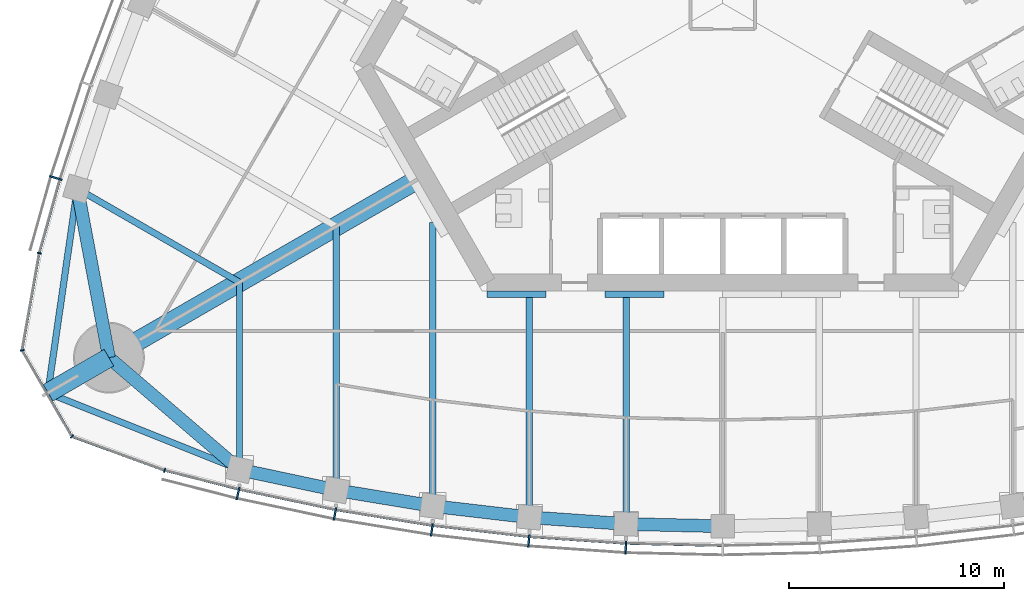
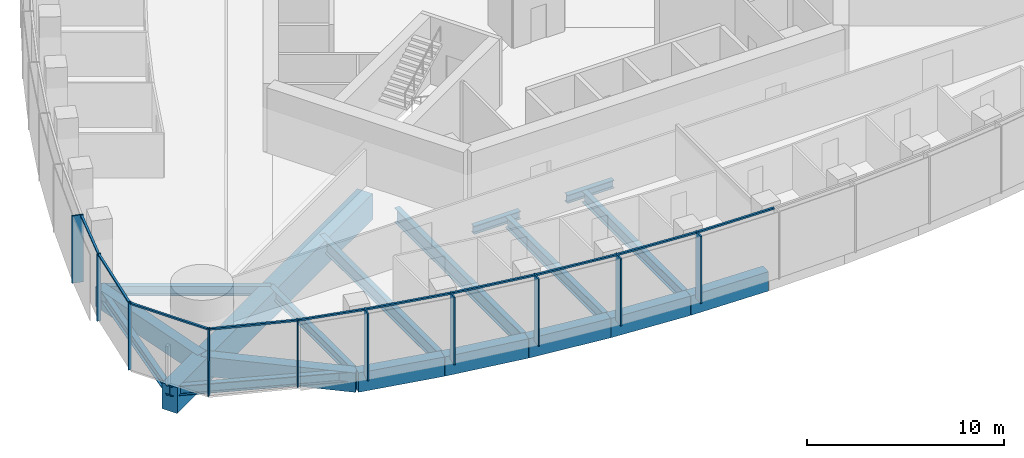
# One storey, part 2 of 20: 20 members, 19 beams, 3 elements without a shape of their own.
"""IFC4 building model written with IfcOpenShell, lengths in metres."""

from ifc_helpers import new_model, si_unit, direction, frame, origin, origin_2d, place, context, subcontext, project, spatial, rectangle, i_section, extrude, material, material_profile, profile_set, type_object, element, aggregate, save


model = new_model("IFC4")

# Units and contexts
model_context = context("Model", 3, precision=1e-05, world=origin(), true_north=direction((0.0, 1.0)))
body_context = subcontext(model_context, "Body", "Model", "MODEL_VIEW")
ifc_project = project(units=[si_unit("LENGTHUNIT", "METRE"), si_unit("AREAUNIT", "SQUARE_METRE"), si_unit("VOLUMEUNIT", "CUBIC_METRE"), si_unit("PLANEANGLEUNIT", "RADIAN"), si_unit("MASSUNIT", "GRAM", prefix="KILO")], contexts=[model_context])

# Site, building, storey
site_placement = place(None, origin())
site = spatial("IfcSite", under=ifc_project, at=site_placement, CompositionType="ELEMENT")
building_placement = place(site_placement, origin())
building = spatial("IfcBuilding", under=site, at=building_placement, Name="Trefoil Bronze Tower", CompositionType="ELEMENT")
storey_placement = place(building_placement, frame((0.0, 0.0, 214.89990234375)))
storey = spatial("IfcBuildingStorey", under=building, at=storey_placement, Name="L49", CompositionType="ELEMENT", Elevation=214.89990234375)

# Curtain wall, members
ifc_material_1 = material(Name="Tinted solar-control glass", Category="glass")
curtain_wall_type_1 = type_object("IfcCurtainWallType", Name="Bronze office curtain wall", PredefinedType="USERDEFINED", material=ifc_material_1)
curtain_wall_1_placement = place(storey_placement, origin())
curtain_wall_1 = element("IfcCurtainWall", 1, at=curtain_wall_1_placement, inside=storey, type_object=curtain_wall_type_1, Name="CW-A L49 F1", ObjectType="CURTAIN WALL", PredefinedType="USERDEFINED")
ifc_material_2 = material(Name="Bronze-finish aluminium", Category="aluminium")
ifc_material_profile_1 = material_profile(ifc_material_2, rectangle(XDim=0.60009765625, YDim=0.080078125, at=origin_2d()), Name="CW-A mullion")
ifc_profile_set_1 = profile_set([ifc_material_profile_1], Name="Bronze-finish aluminium")
member_type_1 = type_object("IfcMemberType", Name="Bronze office curtain wall mullion", PredefinedType="MULLION", material=ifc_profile_set_1)
member_1_placement = place(storey_placement, frame((-22.568115234375, -22.82421875, 0.0), z_axis=(0.0, 0.0, 1.0), x_axis=(0.227082662569, 0.973875487093, 0.0)))
member_1 = element("IfcMember", 2, at=member_1_placement, type_object=member_type_1, Name="CW-A L49 F1 mullion 2", PredefinedType="MULLION", context=body_context, shape_type="SweptSolid", body=[
    extrude(rectangle(XDim=0.60009765625, YDim=0.080078125, at=origin_2d()), origin(), (0.0, 0.0, 1.0), 4.18017578125),
])
member_2_placement = place(storey_placement, frame((-18.05517578125, -23.77783203125, 0.0), z_axis=(0.0, 0.0, 1.0), x_axis=(0.183825368167, 0.982958917767, 0.0)))
member_2 = element("IfcMember", 3, at=member_2_placement, type_object=member_type_1, Name="CW-A L49 F1 mullion 3", PredefinedType="MULLION", context=body_context, shape_type="SweptSolid", body=[
    extrude(rectangle(XDim=0.60009765625, YDim=0.080078125, at=origin_2d()), origin(), (0.0, 0.0, 1.0), 4.18017578125),
])
member_3_placement = place(storey_placement, frame((-13.541259765625, -24.51318359375, 0.0), z_axis=(0.0, 0.0, 1.0), x_axis=(0.137867887204, 0.990450627582, 0.0)))
member_3 = element("IfcMember", 4, at=member_3_placement, type_object=member_type_1, Name="CW-A L49 F1 mullion 4", PredefinedType="MULLION", context=body_context, shape_type="SweptSolid", body=[
    extrude(rectangle(XDim=0.60009765625, YDim=0.080078125, at=origin_2d()), origin(), (0.0, 0.0, 1.0), 4.18017578125),
])
member_4_placement = place(storey_placement, frame((-9.027587890625, -25.03515625, 0.0), z_axis=(0.0, 0.0, 1.0), x_axis=(0.091911396394, 0.995767189263, 0.0)))
member_4 = element("IfcMember", 5, at=member_4_placement, type_object=member_type_1, Name="CW-A L49 F1 mullion 5", PredefinedType="MULLION", context=body_context, shape_type="SweptSolid", body=[
    extrude(rectangle(XDim=0.60009765625, YDim=0.080078125, at=origin_2d()), origin(), (0.0, 0.0, 1.0), 4.18017578125),
])
member_5_placement = place(storey_placement, frame((-4.513671875, -25.346923828125, 0.0), z_axis=(0.0, 0.0, 1.0), x_axis=(0.045955542372, 0.998943485952, 0.0)))
member_5 = element("IfcMember", 6, at=member_5_placement, type_object=member_type_1, Name="CW-A L49 F1 mullion 6", PredefinedType="MULLION", context=body_context, shape_type="SweptSolid", body=[
    extrude(rectangle(XDim=0.60009765625, YDim=0.080078125, at=origin_2d()), origin(), (0.0, 0.0, 1.0), 4.18017578125),
])

# Curtain wall, member
curtain_wall_2_placement = place(storey_placement, origin())
curtain_wall_2 = element("IfcCurtainWall", 7, at=curtain_wall_2_placement, inside=storey, type_object=curtain_wall_type_1, Name="CW-A L49 F3", ObjectType="CURTAIN WALL", PredefinedType="USERDEFINED")
member_6_placement = place(storey_placement, frame((-31.05029296875, -8.132568359375, 0.0), z_axis=(0.0, 0.0, 1.0), x_axis=(0.95694224323, -0.290278389002, 0.0)))
member_6 = element("IfcMember", 8, at=member_6_placement, type_object=member_type_1, Name="CW-A L49 F3 mullion 12", PredefinedType="MULLION", context=body_context, shape_type="SweptSolid", body=[
    extrude(rectangle(XDim=0.60009765625, YDim=0.080078125, at=origin_2d()), origin(), (0.0, 0.0, 1.0), 4.18017578125),
])

# Member
ifc_material_3 = material(Name="Bronze-finish aluminium", Category="aluminium")
ifc_material_profile_2 = material_profile(ifc_material_3, rectangle(XDim=0.1201171875, YDim=0.10009765625, at=origin_2d()), Name="CW-A transom")
ifc_profile_set_2 = profile_set([ifc_material_profile_2], Name="Bronze-finish aluminium")
member_type_2 = type_object("IfcMemberType", Name="Bronze office curtain wall transom", PredefinedType="USERDEFINED", material=ifc_profile_set_2)
member_7_placement = place(storey_placement, frame((-25.93896484375, -21.75732421875, 4.130126953125), z_axis=(0.968935220916, -0.247314653162, 0.0), x_axis=(0.247314653162, 0.968935220916, 0.0)))
member_7 = element("IfcMember", 9, at=member_7_placement, type_object=member_type_2, Name="CW-A L49 F1 transom 1", ObjectType="TRANSOM", PredefinedType="USERDEFINED", context=body_context, shape_type="SweptSolid", body=[
    extrude(rectangle(XDim=0.1201171875, YDim=0.10009765625, at=origin_2d()), origin(), (0.0, 0.0, 1.0), 3.483642578125),
])

member_8_placement = place(storey_placement, frame((-22.4814453125, -22.63818359375, 4.130126953125), z_axis=(0.978395325657, -0.20674280334, 0.0), x_axis=(0.20674280334, 0.978395325657, 0.0)))
member_8 = element("IfcMember", 10, at=member_8_placement, type_object=member_type_2, Name="CW-A L49 F1 transom 2", ObjectType="TRANSOM", PredefinedType="USERDEFINED", context=body_context, shape_type="SweptSolid", body=[
    extrude(rectangle(XDim=0.1201171875, YDim=0.10009765625, at=origin_2d()), origin(), (0.0, 0.0, 1.0), 4.519287109375),
])

member_9_placement = place(storey_placement, frame((-17.9765625, -23.588134765625, 4.130126953125), z_axis=(0.986988367046, -0.160791676761, 0.0), x_axis=(0.160791676761, 0.986988367046, 0.0)))
member_9 = element("IfcMember", 11, at=member_9_placement, type_object=member_type_2, Name="CW-A L49 F1 transom 3", ObjectType="TRANSOM", PredefinedType="USERDEFINED", context=body_context, shape_type="SweptSolid", body=[
    extrude(rectangle(XDim=0.1201171875, YDim=0.10009765625, at=origin_2d()), origin(), (0.0, 0.0, 1.0), 4.479248046875),
])

member_10_placement = place(storey_placement, frame((-13.4716796875, -24.320068359375, 4.130126953125), z_axis=(0.993384885596, -0.114832352013, 0.0), x_axis=(0.114832352013, 0.993384885596, 0.0)))
member_10 = element("IfcMember", 12, at=member_10_placement, type_object=member_type_2, Name="CW-A L49 F1 transom 4", ObjectType="TRANSOM", PredefinedType="USERDEFINED", context=body_context, shape_type="SweptSolid", body=[
    extrude(rectangle(XDim=0.1201171875, YDim=0.10009765625, at=origin_2d()), origin(), (0.0, 0.0, 1.0), 4.449951171875),
])

member_11_placement = place(storey_placement, frame((-8.967041015625, -24.8388671875, 4.130126953125), z_axis=(0.997621320987, -0.06893257512, 0.0), x_axis=(0.06893257512, 0.997621320987, 0.0)))
member_11 = element("IfcMember", 13, at=member_11_placement, type_object=member_type_2, Name="CW-A L49 F1 transom 5", ObjectType="TRANSOM", PredefinedType="USERDEFINED", context=body_context, shape_type="SweptSolid", body=[
    extrude(rectangle(XDim=0.1201171875, YDim=0.10009765625, at=origin_2d()), origin(), (0.0, 0.0, 1.0), 4.4306640625),
])

member_12_placement = place(storey_placement, frame((-4.46240234375, -25.148193359375, 4.130126953125), z_axis=(0.999736131416, -0.022971015226, 0.0), x_axis=(0.022971015226, 0.999736131416, 0.0)))
member_12 = element("IfcMember", 14, at=member_12_placement, type_object=member_type_2, Name="CW-A L49 F1 transom 6", ObjectType="TRANSOM", PredefinedType="USERDEFINED", context=body_context, shape_type="SweptSolid", body=[
    extrude(rectangle(XDim=0.1201171875, YDim=0.10009765625, at=origin_2d()), origin(), (0.0, 0.0, 1.0), 4.42138671875),
])

aggregate(curtain_wall_1, [member_1, member_2, member_3, member_4, member_5, member_7, member_8, member_9, member_10, member_11, member_12])

member_13_placement = place(storey_placement, frame((-30.870361328125, -8.23095703125, 4.130126953125), z_axis=(-0.270284880437, -0.962780392097, 0.0), x_axis=(0.962780392097, -0.270284880437, 0.0)))
member_13 = element("IfcMember", 15, at=member_13_placement, type_object=member_type_2, Name="CW-A L49 F3 transom 12", ObjectType="TRANSOM", PredefinedType="USERDEFINED", context=body_context, shape_type="SweptSolid", body=[
    extrude(rectangle(XDim=0.1201171875, YDim=0.10009765625, at=origin_2d()), origin(), (0.0, 0.0, 1.0), 3.48388671875),
])

aggregate(curtain_wall_2, [member_6, member_13])

# Curtain wall, members
ifc_material_4 = material(Name="Tinted solar-control glass", Category="glass")
curtain_wall_type_2 = type_object("IfcCurtainWallType", Name="Bronze rounded corner curtain wall", PredefinedType="USERDEFINED", material=ifc_material_4)
curtain_wall_3_placement = place(storey_placement, origin())
curtain_wall_3 = element("IfcCurtainWall", 16, at=curtain_wall_3_placement, inside=storey, type_object=curtain_wall_type_2, Name="CW-B L49 K3", ObjectType="CURTAIN WALL", PredefinedType="USERDEFINED")
ifc_material_5 = material(Name="Bronze-finish aluminium", Category="aluminium")
ifc_material_profile_3 = material_profile(ifc_material_5, rectangle(XDim=0.199951171875, YDim=0.06005859375, at=origin_2d()), Name="CW-B mullion")
ifc_profile_set_3 = profile_set([ifc_material_profile_3], Name="Bronze-finish aluminium")
member_type_3 = type_object("IfcMemberType", Name="Bronze rounded corner curtain wall mullion", PredefinedType="MULLION", material=ifc_profile_set_3)
member_14_placement = place(storey_placement, frame((-31.824951171875, -11.63330078125, 0.0), z_axis=(0.0, 0.0, 1.0), x_axis=(0.984807753012, -0.173648177667, 0.0)))
member_14 = element("IfcMember", 17, at=member_14_placement, type_object=member_type_3, Name="CW-B L49 K3 mullion 1", PredefinedType="MULLION", context=body_context, shape_type="SweptSolid", body=[
    extrude(rectangle(XDim=0.199951171875, YDim=0.06005859375, at=origin_2d()), origin(), (0.0, 0.0, 1.0), 4.18017578125),
])
member_15_placement = place(storey_placement, frame((-32.616943359375, -16.158935546875, 0.0), z_axis=(0.0, 0.0, 1.0), x_axis=(0.984807753012, 0.173648177667, 0.0)))
member_15 = element("IfcMember", 18, at=member_15_placement, type_object=member_type_3, Name="CW-B L49 K3 mullion 2", PredefinedType="MULLION", context=body_context, shape_type="SweptSolid", body=[
    extrude(rectangle(XDim=0.199951171875, YDim=0.06005859375, at=origin_2d()), origin(), (0.0, 0.0, 1.0), 4.18017578125),
])
member_16_placement = place(storey_placement, frame((-30.302490234375, -20.16748046875, 0.0), z_axis=(0.0, 0.0, 1.0), x_axis=(0.642787609687, 0.766044443119, 0.0)))
member_16 = element("IfcMember", 19, at=member_16_placement, type_object=member_type_3, Name="CW-B L49 K3 mullion 3", PredefinedType="MULLION", context=body_context, shape_type="SweptSolid", body=[
    extrude(rectangle(XDim=0.199951171875, YDim=0.06005859375, at=origin_2d()), origin(), (0.0, 0.0, 1.0), 4.18017578125),
])
member_17_placement = place(storey_placement, frame((-25.9873046875, -21.74462890625, 0.0), z_axis=(0.0, 0.0, 1.0), x_axis=(0.342020143326, 0.939692620786, 0.0)))
member_17 = element("IfcMember", 20, at=member_17_placement, type_object=member_type_3, Name="CW-B L49 K3 mullion 4", PredefinedType="MULLION", context=body_context, shape_type="SweptSolid", body=[
    extrude(rectangle(XDim=0.199951171875, YDim=0.06005859375, at=origin_2d()), origin(), (0.0, 0.0, 1.0), 4.18017578125),
])
ifc_material_6 = material(Name="Bronze-finish aluminium", Category="aluminium")
ifc_material_profile_4 = material_profile(ifc_material_6, rectangle(XDim=0.1201171875, YDim=0.10009765625, at=origin_2d()), Name="CW-B transom")
ifc_profile_set_4 = profile_set([ifc_material_profile_4], Name="Bronze-finish aluminium")
member_type_4 = type_object("IfcMemberType", Name="Bronze rounded corner curtain wall transom", PredefinedType="USERDEFINED", material=ifc_profile_set_4)
member_18_placement = place(storey_placement, frame((-31.830078125, -11.662841796875, 4.130126953125), z_axis=(-0.173655350028, -0.984806488304, 0.0), x_axis=(0.984806488304, -0.173655350028, 0.0)))
member_18 = element("IfcMember", 21, at=member_18_placement, type_object=member_type_4, Name="CW-B L49 K3 transom 1", ObjectType="TRANSOM", PredefinedType="USERDEFINED", context=body_context, shape_type="SweptSolid", body=[
    extrude(rectangle(XDim=0.1201171875, YDim=0.10009765625, at=origin_2d()), origin(), (0.0, 0.0, 1.0), 4.500244140625),
])
member_19_placement = place(storey_placement, frame((-32.590087890625, -16.217529296875, 4.130126953125), z_axis=(0.500007335828, -0.866021168401, 0.0), x_axis=(0.866021168401, 0.500007335828, 0.0)))
member_19 = element("IfcMember", 22, at=member_19_placement, type_object=member_type_4, Name="CW-B L49 K3 transom 2", ObjectType="TRANSOM", PredefinedType="USERDEFINED", context=body_context, shape_type="SweptSolid", body=[
    extrude(rectangle(XDim=0.1201171875, YDim=0.10009765625, at=origin_2d()), origin(), (0.0, 0.0, 1.0), 4.50048828125),
])
member_20_placement = place(storey_placement, frame((-30.244140625, -20.195068359375, 4.130126953125), z_axis=(0.939680910753, -0.342052314664, 0.0), x_axis=(0.342052314664, 0.939680910753, 0.0)))
member_20 = element("IfcMember", 23, at=member_20_placement, type_object=member_type_4, Name="CW-B L49 K3 transom 3", ObjectType="TRANSOM", PredefinedType="USERDEFINED", context=body_context, shape_type="SweptSolid", body=[
    extrude(rectangle(XDim=0.1201171875, YDim=0.10009765625, at=origin_2d()), origin(), (0.0, 0.0, 1.0), 4.500244140625),
])
aggregate(curtain_wall_3, [member_14, member_15, member_16, member_17, member_18, member_19, member_20])

# Beams
ifc_material_7 = material(Name="Steel C355", Category="steel")
ifc_material_profile_5 = material_profile(ifc_material_7, i_section(OverallWidth=0.300048828125, OverallDepth=0.5, WebThickness=0.014404296875, FlangeThickness=0.028076171875, FilletRadius=0.027099609375, at=origin_2d()), Name="HEB 500")
ifc_profile_set_5 = profile_set([ifc_material_profile_5], Name="Steel C355")
beam_type_1 = type_object("IfcBeamType", Name="Core seat beam HEB 500", PredefinedType="BEAM", material=ifc_profile_set_5)
for number, where, z_axis, x_axis, name in (
    (24, (-10.9697265625, -13.550048828125, -0.449951171875), (1.0, 0.0, 0.0), (0.0, 1.0, 0.0), "Core seat beam F1/-2 L49"),
    (25, (-5.48486328125, -13.550048828125, -0.449951171875), (1.0, 0.0, 0.0), (0.0, 1.0, 0.0), "Core seat beam F1/-1 L49"),
):
    element("IfcBeam", number, at=place(storey_placement, frame(where, z_axis=z_axis, x_axis=x_axis)), inside=storey, type_object=beam_type_1, Name=name, PredefinedType="BEAM", context=body_context, shape_type="SweptSolid", body=[
        extrude(i_section(OverallWidth=0.300048828125, OverallDepth=0.5, WebThickness=0.014404296875, FlangeThickness=0.028076171875, FilletRadius=0.027099609375, at=origin_2d()), origin(), (0.0, 0.0, 1.0), 2.742431640625),
    ])
ifc_material_8 = material(Name="Concrete B80", Category="concrete")
ifc_material_profile_6 = material_profile(ifc_material_8, rectangle(XDim=0.89990234375, YDim=1.60009765625, at=origin_2d()), Name="RC 900x1600")
ifc_profile_set_6 = profile_set([ifc_material_profile_6], Name="Concrete B80")
beam_type_2 = type_object("IfcBeamType", Name="Corner cantilever RC 900x1600", PredefinedType="BEAM", material=ifc_profile_set_6)
beam_1_placement = place(storey_placement, frame((-28.578857421875, -16.5, -1.0), z_axis=(-0.866016004958, -0.500016278891, 0.0), x_axis=(0.500016278891, -0.866016004958, 0.0)))
element("IfcBeam", 26, at=beam_1_placement, inside=storey, type_object=beam_type_2, Name="Corner cantilever K3 L49", PredefinedType="BEAM", context=body_context, shape_type="SweptSolid", body=[
    extrude(rectangle(XDim=0.89990234375, YDim=1.60009765625, at=origin_2d()), origin(), (0.0, 0.0, 1.0), 3.28466796875),
])
ifc_material_9 = material(Name="Steel C355", Category="steel")
ifc_material_profile_7 = material_profile(ifc_material_9, i_section(OverallWidth=0.300048828125, OverallDepth=0.60009765625, WebThickness=0.015380859375, FlangeThickness=0.030029296875, FilletRadius=0.027099609375, at=origin_2d()), Name="HEB 600")
ifc_profile_set_7 = profile_set([ifc_material_profile_7], Name="Steel C355")
beam_type_3 = type_object("IfcBeamType", Name="Corner edge beam HEB 600", PredefinedType="BEAM", material=ifc_profile_set_7)
for number, where, z_axis, x_axis, name in (
    (27, (-22.5, -21.71044921875, -0.5), (-0.92852048463, 0.371281173266, 0.0), (-0.371281173266, -0.92852048463, 0.0), "Corner edge beam F1B L49"),
    (28, (-30.052001953125, -8.63037109375, -0.5), (-0.142694489722, -0.989766781925, 0.0), (0.989766781925, -0.142694489722, 0.0), "Corner edge beam F3A L49"),
):
    element("IfcBeam", number, at=place(storey_placement, frame(where, z_axis=z_axis, x_axis=x_axis)), inside=storey, type_object=beam_type_3, Name=name, PredefinedType="BEAM", context=body_context, shape_type="SweptSolid", body=[
        extrude(i_section(OverallWidth=0.300048828125, OverallDepth=0.60009765625, WebThickness=0.015380859375, FlangeThickness=0.030029296875, FilletRadius=0.027099609375, at=origin_2d()), origin(), (0.0, 0.0, 1.0), 9.6103515625),
    ])
ifc_material_10 = material(Name="Concrete B80", Category="concrete")
ifc_material_profile_8 = material_profile(ifc_material_10, rectangle(XDim=0.89990234375, YDim=1.60009765625, at=origin_2d()), Name="RC 900x1600")
ifc_profile_set_8 = profile_set([ifc_material_profile_8], Name="Concrete B80")
beam_type_4 = type_object("IfcBeamType", Name="Corner girder RC 900x1600", PredefinedType="BEAM", material=ifc_profile_set_8)
beam_2_placement = place(storey_placement, frame((-14.202880859375, -8.199951171875, -1.0), z_axis=(-0.866023450265, -0.500003383579, 0.0), x_axis=(0.500003383579, -0.866023450265, 0.0)))
element("IfcBeam", 29, at=beam_2_placement, inside=storey, type_object=beam_type_4, Name="Corner girder K3 L49", PredefinedType="BEAM", context=body_context, shape_type="SweptSolid", body=[
    extrude(rectangle(XDim=0.89990234375, YDim=1.60009765625, at=origin_2d()), origin(), (0.0, 0.0, 1.0), 16.60009765625),
])
ifc_material_11 = material(Name="Concrete B80", Category="concrete")
ifc_material_profile_9 = material_profile(ifc_material_11, rectangle(XDim=0.60009765625, YDim=1.199951171875, at=origin_2d()), Name="RC 600x1200")
ifc_profile_set_9 = profile_set([ifc_material_profile_9], Name="Concrete B80")
beam_type_5 = type_object("IfcBeamType", Name="End spandrel beam RC 600x1200", PredefinedType="SPANDREL", material=ifc_profile_set_9)
for number, where, z_axis, x_axis, name in (
    (30, (-28.578857421875, -16.5, -0.7998046875), (0.759256602365, -0.650791373456, 0.0), (0.650791373456, 0.759256602365, 0.0), "Spandrel F1.1 L49"),
    (31, (-30.052001953125, -8.63037109375, -0.7998046875), (0.18399763073, -0.982926686933, 0.0), (0.982926686933, 0.18399763073, 0.0), "Spandrel F3.12 L49"),
):
    element("IfcBeam", number, at=place(storey_placement, frame(where, z_axis=z_axis, x_axis=x_axis)), inside=storey, type_object=beam_type_5, Name=name, PredefinedType="SPANDREL", context=body_context, shape_type="SweptSolid", body=[
        extrude(rectangle(XDim=0.60009765625, YDim=1.199951171875, at=origin_2d()), origin(), (0.0, 0.0, 1.0), 8.00634765625),
    ])
ifc_material_12 = material(Name="Steel C355", Category="steel")
ifc_material_profile_10 = material_profile(ifc_material_12, i_section(OverallWidth=0.300048828125, OverallDepth=0.590087890625, WebThickness=0.012939453125, FlangeThickness=0.02490234375, FilletRadius=0.027099609375, at=origin_2d()), Name="HEA 600")
ifc_profile_set_10 = profile_set([ifc_material_profile_10], Name="Steel C355")
beam_type_6 = type_object("IfcBeamType", Name="Floor beam HEA 600", PredefinedType="BEAM", material=ifc_profile_set_10)
beam_3_placement = place(storey_placement, frame((-22.5, -21.71044921875, -0.494873046875), z_axis=(0.0, 1.0, 0.0), x_axis=(-1.0, 0.0, 0.0)))
element("IfcBeam", 32, at=beam_3_placement, inside=storey, type_object=beam_type_6, Name="Floor beam F1/-5 L49", PredefinedType="BEAM", context=body_context, shape_type="SweptSolid", body=[
    extrude(i_section(OverallWidth=0.300048828125, OverallDepth=0.590087890625, WebThickness=0.012939453125, FlangeThickness=0.02490234375, FilletRadius=0.027099609375, at=origin_2d()), origin(), (0.0, 0.0, 1.0), 8.719970703125),
])
beam_4_placement = place(storey_placement, frame((-30.052001953125, -8.63037109375, -0.494873046875), z_axis=(0.866027535932, -0.499996306993, 0.0), x_axis=(0.499996306993, 0.866027535932, 0.0)))
element("IfcBeam", 33, at=beam_4_placement, inside=storey, type_object=beam_type_6, Name="Floor beam F3/+5 L49", PredefinedType="BEAM", context=body_context, shape_type="SweptSolid", body=[
    extrude(i_section(OverallWidth=0.300048828125, OverallDepth=0.590087890625, WebThickness=0.012939453125, FlangeThickness=0.02490234375, FilletRadius=0.027099609375, at=origin_2d()), origin(), (0.0, 0.0, 1.0), 8.72021484375),
])
ifc_material_13 = material(Name="Steel C355", Category="steel")
ifc_material_profile_11 = material_profile(ifc_material_13, i_section(OverallWidth=0.300048828125, OverallDepth=0.699951171875, WebThickness=0.01708984375, FlangeThickness=0.031982421875, FilletRadius=0.027099609375, at=origin_2d()), Name="HEB 700")
ifc_profile_set_11 = profile_set([ifc_material_profile_11], Name="Steel C355")
beam_type_7 = type_object("IfcBeamType", Name="Floor beam HEB 700", PredefinedType="BEAM", material=ifc_profile_set_11)
beam_5_placement = place(storey_placement, frame((-9.0, -23.932861328125, -0.5498046875), z_axis=(0.0, 1.0, 0.0), x_axis=(-1.0, 0.0, 0.0)))
element("IfcBeam", 34, at=beam_5_placement, inside=storey, type_object=beam_type_7, Name="Floor beam F1/-2 L49", PredefinedType="BEAM", context=body_context, shape_type="SweptSolid", body=[
    extrude(i_section(OverallWidth=0.300048828125, OverallDepth=0.699951171875, WebThickness=0.01708984375, FlangeThickness=0.031982421875, FilletRadius=0.027099609375, at=origin_2d()), origin(), (0.0, 0.0, 1.0), 10.23291015625),
])
beam_6_placement = place(storey_placement, frame((-4.5, -24.246337890625, -0.5498046875), z_axis=(0.0, 1.0, 0.0), x_axis=(-1.0, 0.0, 0.0)))
element("IfcBeam", 35, at=beam_6_placement, inside=storey, type_object=beam_type_7, Name="Floor beam F1/-1 L49", PredefinedType="BEAM", context=body_context, shape_type="SweptSolid", body=[
    extrude(i_section(OverallWidth=0.300048828125, OverallDepth=0.699951171875, WebThickness=0.01708984375, FlangeThickness=0.031982421875, FilletRadius=0.027099609375, at=origin_2d()), origin(), (0.0, 0.0, 1.0), 10.54638671875),
])
ifc_material_14 = material(Name="Steel C355", Category="steel")
ifc_material_profile_12 = material_profile(ifc_material_14, i_section(OverallWidth=0.300048828125, OverallDepth=0.800048828125, WebThickness=0.017578125, FlangeThickness=0.032958984375, FilletRadius=0.030029296875, at=origin_2d()), Name="HEB 800")
ifc_profile_set_12 = profile_set([ifc_material_profile_12], Name="Steel C355")
beam_type_8 = type_object("IfcBeamType", Name="Floor beam HEB 800", PredefinedType="BEAM", material=ifc_profile_set_12)
beam_7_placement = place(storey_placement, frame((-18.0, -22.6689453125, -0.599853515625), z_axis=(0.0, 1.0, 0.0), x_axis=(-1.0, 0.0, 0.0)))
element("IfcBeam", 36, at=beam_7_placement, inside=storey, type_object=beam_type_8, Name="Floor beam F1/-4 L49", PredefinedType="BEAM", context=body_context, shape_type="SweptSolid", body=[
    extrude(i_section(OverallWidth=0.300048828125, OverallDepth=0.800048828125, WebThickness=0.017578125, FlangeThickness=0.032958984375, FilletRadius=0.030029296875, at=origin_2d()), origin(), (0.0, 0.0, 1.0), 12.276611328125),
])
ifc_material_15 = material(Name="Steel C355", Category="steel")
ifc_material_profile_13 = material_profile(ifc_material_15, i_section(OverallWidth=0.300048828125, OverallDepth=0.89990234375, WebThickness=0.0185546875, FlangeThickness=0.034912109375, FilletRadius=0.030029296875, at=origin_2d()), Name="HEB 900")
ifc_profile_set_13 = profile_set([ifc_material_profile_13], Name="Steel C355")
beam_type_9 = type_object("IfcBeamType", Name="Floor beam HEB 900", PredefinedType="BEAM", material=ifc_profile_set_13)
beam_8_placement = place(storey_placement, frame((-13.5, -23.408447265625, -0.64990234375), z_axis=(0.0, 1.0, 0.0), x_axis=(-1.0, 0.0, 0.0)))
element("IfcBeam", 37, at=beam_8_placement, inside=storey, type_object=beam_type_9, Name="Floor beam F1/-3 L49", PredefinedType="BEAM", context=body_context, shape_type="SweptSolid", body=[
    extrude(i_section(OverallWidth=0.300048828125, OverallDepth=0.89990234375, WebThickness=0.0185546875, FlangeThickness=0.034912109375, FilletRadius=0.030029296875, at=origin_2d()), origin(), (0.0, 0.0, 1.0), 13.191162109375),
])
ifc_material_16 = material(Name="Concrete B80", Category="concrete")
ifc_material_profile_14 = material_profile(ifc_material_16, rectangle(XDim=0.60009765625, YDim=1.199951171875, at=origin_2d()), Name="RC 600x1200")
ifc_profile_set_14 = profile_set([ifc_material_profile_14], Name="Concrete B80")
beam_type_10 = type_object("IfcBeamType", Name="Spandrel beam RC 600x1200", PredefinedType="SPANDREL", material=ifc_profile_set_14)
beam_9_placement = place(storey_placement, frame((-22.5, -21.71044921875, -0.7998046875), z_axis=(0.978059483036, -0.208325820877, 0.0), x_axis=(0.208325820877, 0.978059483036, 0.0)))
element("IfcBeam", 38, at=beam_9_placement, inside=storey, type_object=beam_type_10, Name="Spandrel F1.2 L49", PredefinedType="SPANDREL", context=body_context, shape_type="SweptSolid", body=[
    extrude(rectangle(XDim=0.60009765625, YDim=1.199951171875, at=origin_2d()), origin(), (0.0, 0.0, 1.0), 4.600830078125),
])
beam_10_placement = place(storey_placement, frame((-18.0, -22.6689453125, -0.7998046875), z_axis=(0.986764681833, -0.162158757664, 0.0), x_axis=(0.162158757664, 0.986764681833, 0.0)))
element("IfcBeam", 39, at=beam_10_placement, inside=storey, type_object=beam_type_10, Name="Spandrel F1.3 L49", PredefinedType="SPANDREL", context=body_context, shape_type="SweptSolid", body=[
    extrude(rectangle(XDim=0.60009765625, YDim=1.199951171875, at=origin_2d()), origin(), (0.0, 0.0, 1.0), 4.560302734375),
])
beam_11_placement = place(storey_placement, frame((-13.5, -23.408447265625, -0.7998046875), z_axis=(0.993278017132, -0.115753102257, 0.0), x_axis=(0.115753102257, 0.993278017132, 0.0)))
element("IfcBeam", 40, at=beam_11_placement, inside=storey, type_object=beam_type_10, Name="Spandrel F1.4 L49", PredefinedType="SPANDREL", context=body_context, shape_type="SweptSolid", body=[
    extrude(rectangle(XDim=0.60009765625, YDim=1.199951171875, at=origin_2d()), origin(), (0.0, 0.0, 1.0), 4.530517578125),
])
beam_12_placement = place(storey_placement, frame((-9.0, -23.932861328125, -0.7998046875), z_axis=(0.997582435881, -0.069493047291, 0.0), x_axis=(0.069493047291, 0.997582435881, 0.0)))
element("IfcBeam", 41, at=beam_12_placement, inside=storey, type_object=beam_type_10, Name="Spandrel F1.5 L49", PredefinedType="SPANDREL", context=body_context, shape_type="SweptSolid", body=[
    extrude(rectangle(XDim=0.60009765625, YDim=1.199951171875, at=origin_2d()), origin(), (0.0, 0.0, 1.0), 4.510986328125),
])
beam_13_placement = place(storey_placement, frame((-4.5, -24.246337890625, -0.7998046875), z_axis=(0.999731770792, -0.023160018779, 0.0), x_axis=(0.023160018779, 0.999731770792, 0.0)))
element("IfcBeam", 42, at=beam_13_placement, inside=storey, type_object=beam_type_10, Name="Spandrel F1.6 L49", PredefinedType="SPANDREL", context=body_context, shape_type="SweptSolid", body=[
    extrude(rectangle(XDim=0.60009765625, YDim=1.199951171875, at=origin_2d()), origin(), (0.0, 0.0, 1.0), 4.501220703125),
])

save(model, "model.ifc")
